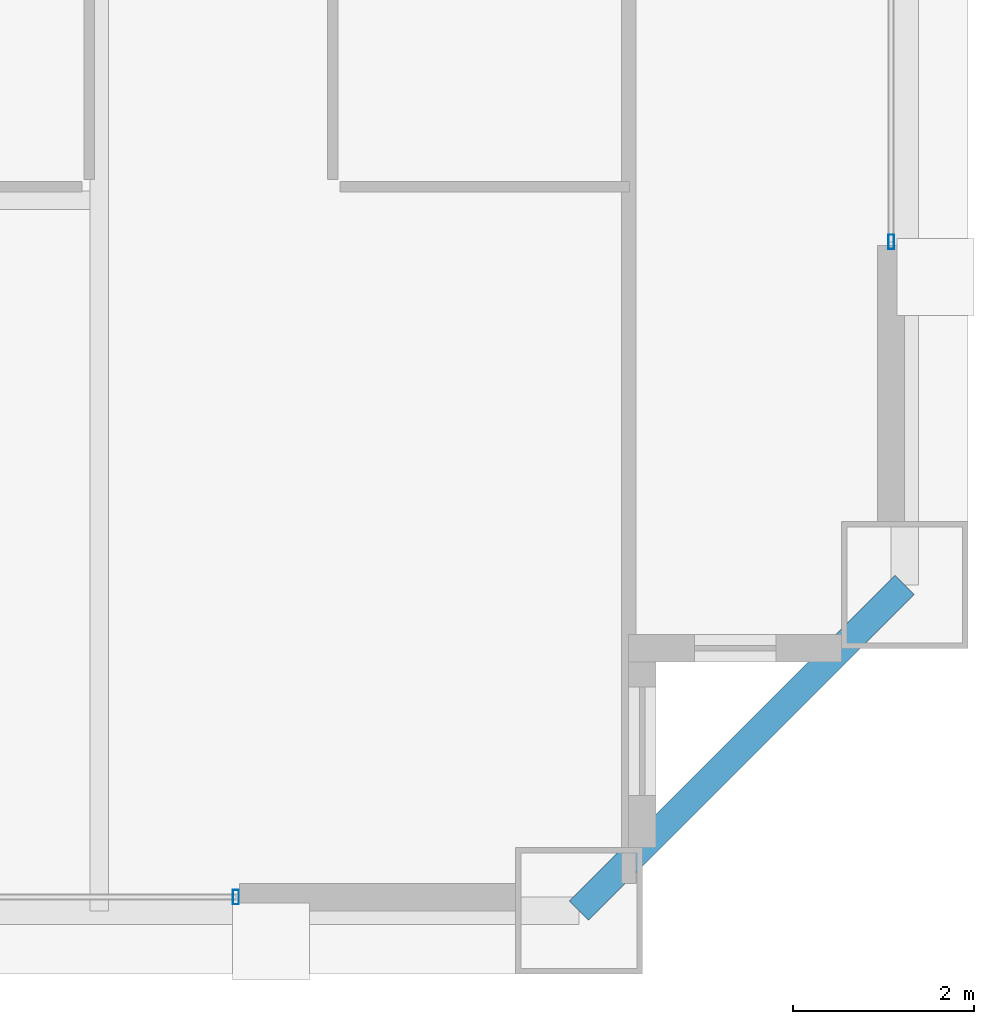
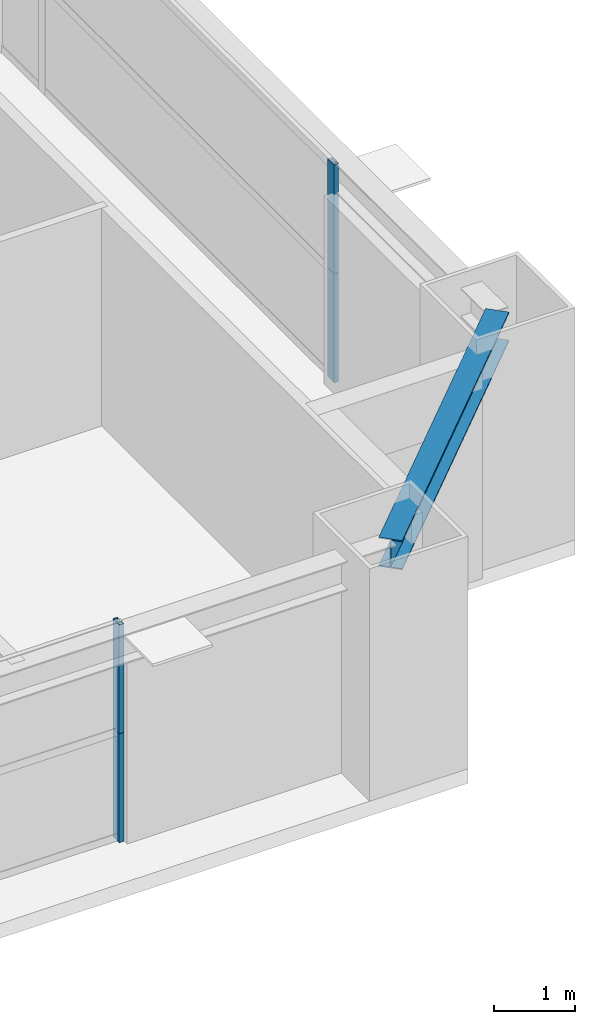
# One storey, part 16 of 38: 4 members, 1 beam, 2 elements without a shape of their own.
"""IFC4 building model written with IfcOpenShell, lengths in metres."""

from ifc_helpers import new_model, si_unit, direction, frame, origin, origin_2d, place, context, subcontext, project, spatial, hollow_rectangle, i_section, extrude, source, transform, mapped, material, layer, layer_set, material_profile, profile_set, type_object, element, aggregate, save


model = new_model("IFC4")

# Units and contexts
model_context = context("Model", 3, precision=1e-05, world=origin(), true_north=direction((0.0, 1.0)))
body_context = subcontext(model_context, "Body", "Model", "MODEL_VIEW")
ifc_project = project(units=[si_unit("LENGTHUNIT", "METRE"), si_unit("AREAUNIT", "SQUARE_METRE"), si_unit("VOLUMEUNIT", "CUBIC_METRE"), si_unit("PLANEANGLEUNIT", "RADIAN"), si_unit("MASSUNIT", "GRAM", prefix="KILO"), si_unit("THERMODYNAMICTEMPERATUREUNIT", "KELVIN"), si_unit("POWERUNIT", "WATT")], contexts=[model_context])

# Site, building, storey
site_placement = place(None, origin())
site = spatial("IfcSite", under=ifc_project, at=site_placement, CompositionType="ELEMENT")
building_placement = place(site_placement, origin())
building = spatial("IfcBuilding", under=site, at=building_placement, Name="Yuzanri Waterfront Tower", CompositionType="ELEMENT")
storey_placement = place(building_placement, frame((0.0, 0.0, 188.0)))
storey = spatial("IfcBuildingStorey", under=building, at=storey_placement, Name="L49", CompositionType="ELEMENT", Elevation=188.0)

# Beam
ifc_material_1 = material(Name="Steel Q355B", Category="steel")
ifc_material_profile_1 = material_profile(ifc_material_1, i_section(OverallWidth=0.300048828125, OverallDepth=0.43994140625, WebThickness=0.010986328125, FlangeThickness=0.01806640625, at=origin_2d()), Name="HM 440x300x11x18")
ifc_profile_set_1 = profile_set([ifc_material_profile_1], Name="Steel Q355B")
beam_type = type_object("IfcBeamType", Name="Perimeter Spandrel Q355B HM 440x300", PredefinedType="SPANDREL", material=ifc_profile_set_1)
shared_shape_1 = source(origin(), body_context, "Body", "SweptSolid", [
    extrude(i_section(OverallWidth=0.300048828125, OverallDepth=0.43994140625, WebThickness=0.010986328125, FlangeThickness=0.01806640625, at=origin_2d()), origin(), (0.0, 0.0, 1.0), 5.09130859375),
])
beam_placement = place(storey_placement, frame((55.5, 3.699951171875, 3.06005859375), z_axis=(0.707106781187, 0.707106781187, 0.0), x_axis=(-0.707106781187, 0.707106781187, 0.0)))
element("IfcBeam", 1, at=beam_placement, inside=storey, type_object=beam_type, Name="L49 Perimeter Spandrel S3-E1", PredefinedType="SPANDREL", context=body_context, shape_type="MappedRepresentation", body=[
    mapped(shared_shape_1, transform((0.0, 0.0, 0.0), scale=1.0)),
])

# Curtain wall, members
ifc_material_2 = material(Name="Anodized Architectural Bronze", Category="metal")
ifc_layer = layer(ifc_material_2, 0.159912109375)
ifc_layer_set = layer_set([ifc_layer], Name="Anodized Architectural Bronze")
curtain_wall_type = type_object("IfcCurtainWallType", Name="Anodized Bronze Mid-Rise Residential Acoustic Unitized Curtain Wall 7200", PredefinedType="NOTDEFINED", material=ifc_layer_set)
curtain_wall_1_placement = place(storey_placement, origin())
curtain_wall_1 = element("IfcCurtainWall", 2, at=curtain_wall_1_placement, inside=storey, type_object=curtain_wall_type, Name="L49 Curtain Wall CW-L49-SR", PredefinedType="NOTDEFINED")
ifc_material_3 = material(Name="Anodized Architectural Bronze", Category="metal")
ifc_material_profile_2 = material_profile(ifc_material_3, hollow_rectangle(XDim=0.06494140625, YDim=0.159912109375, WallThickness=0.00341796875, at=origin_2d()), Name="CWM 65x160")
ifc_profile_set_2 = profile_set([ifc_material_profile_2], Name="Anodized Architectural Bronze")
member_type = type_object("IfcMemberType", Name="Anodized Bronze Upper-Zone Curtain-Wall Mullion 65x160", PredefinedType="MULLION", material=ifc_profile_set_2)
shared_shape_2 = source(origin(), body_context, "Body", "SweptSolid", [
    extrude(hollow_rectangle(XDim=0.06494140625, YDim=0.159912109375, WallThickness=0.00341796875, at=origin_2d()), origin(), (0.0, 0.0, 1.0), 1.637939453125),
])
member_1_placement = place(storey_placement, frame((51.7099609375, 3.85009765625, 0.0), z_axis=(0.0, 0.0, 1.0), x_axis=(1.0, 0.0, 0.0)))
member_1 = element("IfcMember", 3, at=member_1_placement, type_object=member_type, Name="CW-L49-SR Lower Mullion 02", PredefinedType="MULLION", context=body_context, shape_type="MappedRepresentation", body=[
    mapped(shared_shape_2, transform((0.0, 0.0, 0.0), scale=1.0)),
])
member_2_placement = place(storey_placement, frame((51.7099609375, 3.85009765625, 1.64208984375), z_axis=(0.0, 0.0, 1.0), x_axis=(1.0, 0.0, 0.0)))
member_2 = element("IfcMember", 4, at=member_2_placement, type_object=member_type, Name="CW-L49-SR Upper Mullion 02", PredefinedType="MULLION", context=body_context, shape_type="MappedRepresentation", body=[
    mapped(shared_shape_2, transform((0.0, 0.0, 0.0), scale=1.0)),
])
aggregate(curtain_wall_1, [member_1, member_2])

curtain_wall_2_placement = place(storey_placement, origin())
curtain_wall_2 = element("IfcCurtainWall", 5, at=curtain_wall_2_placement, inside=storey, type_object=curtain_wall_type, Name="L49 Curtain Wall CW-L49-EL", PredefinedType="NOTDEFINED")
member_3_placement = place(storey_placement, frame((58.949951171875, 11.090087890625, 0.0), z_axis=(0.0, 0.0, 1.0), x_axis=(1.0, 0.0, 0.0)))
member_3 = element("IfcMember", 6, at=member_3_placement, type_object=member_type, Name="CW-L49-EL Lower Mullion 00", PredefinedType="MULLION", context=body_context, shape_type="MappedRepresentation", body=[
    mapped(shared_shape_2, transform((0.0, 0.0, 0.0), scale=1.0)),
])
member_4_placement = place(storey_placement, frame((58.949951171875, 11.090087890625, 1.64208984375), z_axis=(0.0, 0.0, 1.0), x_axis=(1.0, 0.0, 0.0)))
member_4 = element("IfcMember", 7, at=member_4_placement, type_object=member_type, Name="CW-L49-EL Upper Mullion 00", PredefinedType="MULLION", context=body_context, shape_type="MappedRepresentation", body=[
    mapped(shared_shape_2, transform((0.0, 0.0, 0.0), scale=1.0)),
])
aggregate(curtain_wall_2, [member_3, member_4])

save(model, "model.ifc")
